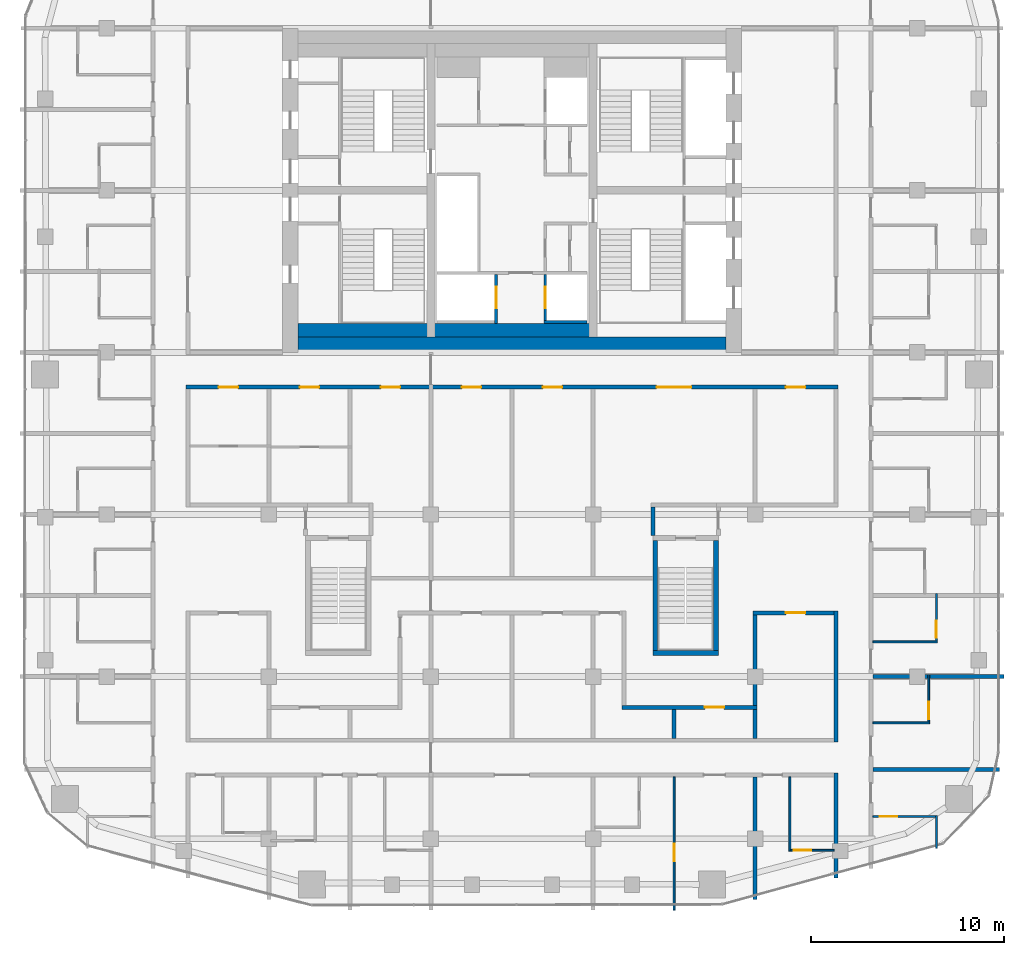
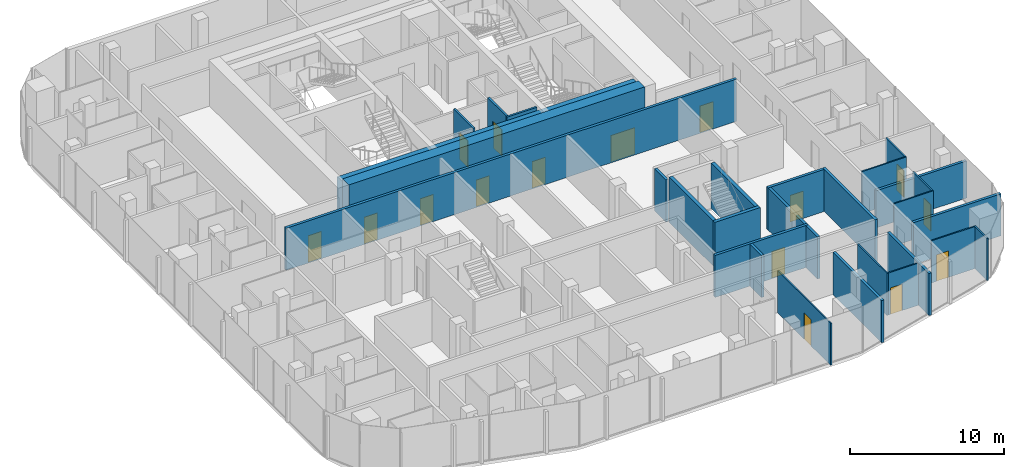
# One storey, part 16 of 22: 29 walls, 16 doors, 16 openings.
"""IFC4 building model written with IfcOpenShell, lengths in metres."""

from ifc_helpers import new_model, si_unit, direction, frame, frame_2d, origin, place, context, subcontext, project, spatial, rectangle, extrude, material, layer, layer_set, type_object, element, fill, save


model = new_model("IFC4")

# Units and contexts
model_context = context("Model", 3, precision=1e-05, world=origin(), true_north=direction((0.0, 1.0)))
body_context = subcontext(model_context, "Body", "Model", "MODEL_VIEW")
ifc_project = project(units=[si_unit("LENGTHUNIT", "METRE"), si_unit("AREAUNIT", "SQUARE_METRE"), si_unit("VOLUMEUNIT", "CUBIC_METRE"), si_unit("PLANEANGLEUNIT", "RADIAN"), si_unit("MASSUNIT", "GRAM", prefix="KILO")], contexts=[model_context])

# Site, building, storey
site_placement = place(None, origin())
site = spatial("IfcSite", under=ifc_project, at=site_placement, CompositionType="ELEMENT")
building_placement = place(site_placement, origin())
building = spatial("IfcBuilding", under=site, at=building_placement, Name="Marenta Gate Hotel Tower", CompositionType="ELEMENT")
storey_placement = place(building_placement, frame((0.0, 0.0, 187.699951171875)))
storey = spatial("IfcBuildingStorey", under=building, at=storey_placement, Name="L42", CompositionType="ELEMENT", Elevation=187.699951171875)

# Wall
ifc_material_1 = material(Name="Concrete C40", Category="concrete")
ifc_layer_1 = layer(ifc_material_1, 0.699951171875)
ifc_layer_set_1 = layer_set([ifc_layer_1], Name="Concrete C40")
wall_type_1 = type_object("IfcWallType", Name="Core lining wall 700 REI 180", PredefinedType="PARTITIONING", material=ifc_layer_set_1)
wall_1_placement = place(storey_placement, frame((-11.10009765625, 1.14990234375, 0.0), z_axis=(0.0, 0.0, 1.0), x_axis=(1.0, 0.0, 0.0)))
element("IfcWall", 1, at=wall_1_placement, inside=storey, type_object=wall_type_1, Name="L42-CP-LN-S", PredefinedType="PARTITIONING", context=body_context, shape_type="SweptSolid", body=[
    extrude(rectangle(XDim=22.2001953125, YDim=0.699951171875, at=frame_2d((11.10009765625, 0.0))), origin(), (0.0, 0.0, 1.0), 3.340087890625),
])

# Wall, opening, door
ifc_material_2 = material(Name="Concrete C40", Category="concrete")
ifc_layer_2 = layer(ifc_material_2, 0.14990234375)
ifc_layer_set_2 = layer_set([ifc_layer_2], Name="Concrete C40")
wall_type_2 = type_object("IfcWallType", Name="Core shaft wall 150 REI 180", PredefinedType="SHEAR", material=ifc_layer_set_2)
wall_2_placement = place(storey_placement, frame((-0.824951171875, 1.5, 0.0), z_axis=(0.0, 0.0, 1.0), x_axis=(0.0, 1.0, 0.0)))
wall_2 = element("IfcWall", 2, at=wall_2_placement, inside=storey, type_object=wall_type_2, Name="L42-SHF-CW-W-ff", PredefinedType="SHEAR", context=body_context, shape_type="SweptSolid", body=[
    extrude(rectangle(XDim=2.550048828125, YDim=0.14990234375, at=frame_2d((1.27490234375, 0.0))), origin(), (0.0, 0.0, 1.0), 3.60009765625),
])
opening_1_placement = place(wall_2_placement, frame((0.800048828125, 0.0, 0.0)))
opening_1 = element("IfcOpeningElement", 3, at=opening_1_placement, cuts=wall_2, Name="Opening LD-FF1", PredefinedType="OPENING", context=body_context, shape_type="SweptSolid", body=[
    extrude(rectangle(XDim=1.10009765625, YDim=2.10009765625, at=frame_2d((0.550048828125, 1.050048828125))), frame((0.0, 0.074951171875, 0.0), z_axis=(0.0, -1.0, 0.0), x_axis=(1.0, 0.0, 0.0)), (0.0, 0.0, 1.0), 0.14990234375),
])
ifc_material_3 = material(Name="Steel", Category="steel")
door_type_1 = type_object("IfcDoorType", Name="Core lift landing door 1100x2100 E 60", OperationType="SLIDING_TO_LEFT", PredefinedType="DOOR", material=ifc_material_3)
door_1_placement = place(opening_1_placement, origin())
door_1 = element("IfcDoor", 4, at=door_1_placement, inside=storey, type_object=door_type_1, Name="LD-FF1", OperationType="SLIDING_TO_LEFT", OverallHeight=2.10009765625, OverallWidth=1.10009765625, PredefinedType="DOOR", context=body_context, shape_type="SweptSolid", body=[
    extrude(rectangle(XDim=1.10009765625, YDim=2.10009765625, at=frame_2d((0.550048828125, 1.050048828125))), frame((0.0, 0.02490234375, 0.0), z_axis=(0.0, -1.0, 0.0), x_axis=(1.0, 0.0, 0.0)), (0.0, 0.0, 1.0), 0.050048828125),
])
fill(opening_1, door_1)

wall_3_placement = place(storey_placement, frame((1.72509765625, 1.64990234375, 0.0), z_axis=(0.0, 0.0, 1.0), x_axis=(0.0, 1.0, 0.0)))
wall_3 = element("IfcWall", 5, at=wall_3_placement, inside=storey, type_object=wall_type_2, Name="L42-SHF-CE-S-ls", PredefinedType="SHEAR", context=body_context, shape_type="SweptSolid", body=[
    extrude(rectangle(XDim=2.400146484375, YDim=0.14990234375, at=frame_2d((1.2001953125, 0.0))), origin(), (0.0, 0.0, 1.0), 3.60009765625),
])
opening_2_placement = place(wall_3_placement, frame((0.64990234375, 0.0, 0.0)))
opening_2 = element("IfcOpeningElement", 6, at=opening_2_placement, cuts=wall_3, Name="Opening LD-SV1", PredefinedType="OPENING", context=body_context, shape_type="SweptSolid", body=[
    extrude(rectangle(XDim=1.10009765625, YDim=2.10009765625, at=frame_2d((0.550048828125, 1.050048828125))), frame((0.0, 0.074951171875, 0.0), z_axis=(0.0, -1.0, 0.0), x_axis=(1.0, 0.0, 0.0)), (0.0, 0.0, 1.0), 0.14990234375),
])
door_2_placement = place(opening_2_placement, origin())
door_2 = element("IfcDoor", 7, at=door_2_placement, inside=storey, type_object=door_type_1, Name="LD-SV1", OperationType="SLIDING_TO_LEFT", OverallHeight=2.10009765625, OverallWidth=1.10009765625, PredefinedType="DOOR", context=body_context, shape_type="SweptSolid", body=[
    extrude(rectangle(XDim=1.10009765625, YDim=2.10009765625, at=frame_2d((0.550048828125, 1.050048828125))), frame((0.0, 0.02490234375, 0.0), z_axis=(0.0, -1.0, 0.0), x_axis=(1.0, 0.0, 0.0)), (0.0, 0.0, 1.0), 0.050048828125),
])
fill(opening_2, door_2)

# Walls
wall_4_placement = place(storey_placement, frame((1.64990234375, 1.574951171875, 0.0), z_axis=(0.0, 0.0, 1.0), x_axis=(1.0, 0.0, 0.0)))
element("IfcWall", 8, at=wall_4_placement, inside=storey, type_object=wall_type_2, Name="L42-SHF-CE-S-bot", PredefinedType="SHEAR", context=body_context, shape_type="SweptSolid", body=[
    extrude(rectangle(XDim=2.25, YDim=0.14990234375, at=frame_2d((1.125, 0.0))), origin(), (0.0, 0.0, 1.0), 3.60009765625),
])
ifc_material_4 = material(Name="Concrete C60", Category="concrete")
ifc_layer_3 = layer(ifc_material_4, 0.800048828125)
ifc_layer_set_3 = layer_set([ifc_layer_3], Name="Concrete C60")
wall_type_3 = type_object("IfcWallType", Name="Core wall 800 C60", PredefinedType="SHEAR", material=ifc_layer_set_3)
wall_5_placement = place(storey_placement, frame((-11.10009765625, 0.39990234375, 0.0), z_axis=(0.0, 0.0, 1.0), x_axis=(1.0, 0.0, 0.0)))
element("IfcWall", 9, at=wall_5_placement, inside=storey, type_object=wall_type_3, Name="L42-CORE-S", PredefinedType="SHEAR", context=body_context, shape_type="SweptSolid", body=[
    extrude(rectangle(XDim=22.2001953125, YDim=0.800048828125, at=frame_2d((11.10009765625, 0.0))), origin(), (0.0, 0.0, 1.0), 3.60009765625),
])
ifc_material_5 = material(Name="Concrete C40", Category="concrete")
ifc_layer_4 = layer(ifc_material_5, 0.25)
ifc_layer_set_4 = layer_set([ifc_layer_4], Name="Concrete C40")
wall_type_4 = type_object("IfcWallType", Name="Remote stair enclosure wall 250 REI 180", PredefinedType="SHEAR", material=ifc_layer_set_4)
wall_6_placement = place(storey_placement, frame((7.300048828125, -15.574951171875, 0.10009765625), z_axis=(0.0, 0.0, 1.0), x_axis=(1.0, 0.0, 0.0)))
element("IfcWall", 10, at=wall_6_placement, inside=storey, type_object=wall_type_4, Name="L42-RS-Z3-2-W1", PredefinedType="SHEAR", context=body_context, shape_type="SweptSolid", body=[
    extrude(rectangle(XDim=3.39990234375, YDim=0.25, at=frame_2d((1.699951171875, 0.0))), origin(), (0.0, 0.0, 1.0), 3.599853515625),
])
for number, where, z_axis, x_axis, name in (
    (11, (7.425048828125, -15.449951171875, 0.10009765625), (0.0, 0.0, 1.0), (0.0, 1.0, 0.0), "L42-RS-Z3-2-W3"),
    (12, (10.574951171875, -15.449951171875, 0.10009765625), (0.0, 0.0, 1.0), (0.0, 1.0, 0.0), "L42-RS-Z3-2-W4"),
):
    element("IfcWall", number, at=place(storey_placement, frame(where, z_axis=z_axis, x_axis=x_axis)), inside=storey, type_object=wall_type_4, Name=name, PredefinedType="SHEAR", context=body_context, shape_type="SweptSolid", body=[
        extrude(rectangle(XDim=5.699951171875, YDim=0.25, at=frame_2d((2.85009765625, 0.0))), origin(), (0.0, 0.0, 1.0), 3.599853515625),
    ])

# Wall, openings, doors
ifc_material_6 = material(Name="Concrete blockwork", Category="masonry")
ifc_layer_5 = layer(ifc_material_6, 0.199951171875)
ifc_layer_set_5 = layer_set([ifc_layer_5], Name="Concrete blockwork")
wall_type_5 = type_object("IfcWallType", Name="Room corridor wall 200 EI 120", PredefinedType="PARTITIONING", material=ifc_layer_set_5)
wall_7_placement = place(storey_placement, frame((-16.89990234375, -1.800048828125, 0.0), z_axis=(0.0, 0.0, 1.0), x_axis=(1.0, 0.0, 0.0)))
wall_7 = element("IfcWall", 13, at=wall_7_placement, inside=storey, type_object=wall_type_5, Name="L42-PTN-W072", PredefinedType="PARTITIONING", context=body_context, shape_type="SweptSolid", body=[
    extrude(rectangle(XDim=33.7998046875, YDim=0.199951171875, at=frame_2d((16.89990234375, 0.0))), origin(), (0.0, 0.0, 1.0), 3.340087890625),
])
opening_3_placement = place(wall_7_placement, frame((1.699951171875, 0.0, 0.0)))
opening_3 = element("IfcOpeningElement", 14, at=opening_3_placement, cuts=wall_7, Name="Opening G15-01", PredefinedType="OPENING", context=body_context, shape_type="SweptSolid", body=[
    extrude(rectangle(XDim=1.0, YDim=2.10009765625, at=frame_2d((0.5, 1.050048828125))), frame((0.0, 0.10009765625, 0.0), z_axis=(0.0, -1.0, 0.0), x_axis=(1.0, 0.0, 0.0)), (0.0, 0.0, 1.0), 0.199951171875),
])
opening_4_placement = place(wall_7_placement, frame((5.89990234375, 0.0, 0.0)))
opening_4 = element("IfcOpeningElement", 15, at=opening_4_placement, cuts=wall_7, Name="Opening G15-03", PredefinedType="OPENING", context=body_context, shape_type="SweptSolid", body=[
    extrude(rectangle(XDim=1.0, YDim=2.10009765625, at=frame_2d((0.5, 1.050048828125))), frame((0.0, 0.10009765625, 0.0), z_axis=(0.0, -1.0, 0.0), x_axis=(1.0, 0.0, 0.0)), (0.0, 0.0, 1.0), 0.199951171875),
])
opening_5_placement = place(wall_7_placement, frame((10.10009765625, 0.0, 0.0)))
opening_5 = element("IfcOpeningElement", 16, at=opening_5_placement, cuts=wall_7, Name="Opening G15-05", PredefinedType="OPENING", context=body_context, shape_type="SweptSolid", body=[
    extrude(rectangle(XDim=1.0, YDim=2.10009765625, at=frame_2d((0.5, 1.050048828125))), frame((0.0, 0.10009765625, 0.0), z_axis=(0.0, -1.0, 0.0), x_axis=(1.0, 0.0, 0.0)), (0.0, 0.0, 1.0), 0.199951171875),
])
opening_6_placement = place(wall_7_placement, frame((14.300048828125, 0.0, 0.0)))
opening_6 = element("IfcOpeningElement", 17, at=opening_6_placement, cuts=wall_7, Name="Opening G15-06", PredefinedType="OPENING", context=body_context, shape_type="SweptSolid", body=[
    extrude(rectangle(XDim=1.0, YDim=2.10009765625, at=frame_2d((0.5, 1.050048828125))), frame((0.0, 0.10009765625, 0.0), z_axis=(0.0, -1.0, 0.0), x_axis=(1.0, 0.0, 0.0)), (0.0, 0.0, 1.0), 0.199951171875),
])
opening_7_placement = place(wall_7_placement, frame((18.5, 0.0, 0.0)))
opening_7 = element("IfcOpeningElement", 18, at=opening_7_placement, cuts=wall_7, Name="Opening G15-07", PredefinedType="OPENING", context=body_context, shape_type="SweptSolid", body=[
    extrude(rectangle(XDim=1.0, YDim=2.10009765625, at=frame_2d((0.5, 1.050048828125))), frame((0.0, 0.10009765625, 0.0), z_axis=(0.0, -1.0, 0.0), x_axis=(1.0, 0.0, 0.0)), (0.0, 0.0, 1.0), 0.199951171875),
])
opening_8_placement = place(wall_7_placement, frame((24.39990234375, 0.0, 0.0)))
opening_8 = element("IfcOpeningElement", 19, at=opening_8_placement, cuts=wall_7, Name="Opening G15-08", PredefinedType="OPENING", context=body_context, shape_type="SweptSolid", body=[
    extrude(rectangle(XDim=1.800048828125, YDim=2.10009765625, at=frame_2d((0.89990234375, 1.050048828125))), frame((0.0, 0.10009765625, 0.0), z_axis=(0.0, -1.0, 0.0), x_axis=(1.0, 0.0, 0.0)), (0.0, 0.0, 1.0), 0.199951171875),
])
opening_9_placement = place(wall_7_placement, frame((31.10009765625, 0.0, 0.0)))
opening_9 = element("IfcOpeningElement", 20, at=opening_9_placement, cuts=wall_7, Name="Opening G15-09", PredefinedType="OPENING", context=body_context, shape_type="SweptSolid", body=[
    extrude(rectangle(XDim=1.0, YDim=2.10009765625, at=frame_2d((0.5, 1.050048828125))), frame((0.0, 0.10009765625, 0.0), z_axis=(0.0, -1.0, 0.0), x_axis=(1.0, 0.0, 0.0)), (0.0, 0.0, 1.0), 0.199951171875),
])
ifc_material_7 = material(Name="Timber door leaf", Category="wood")
door_type_2 = type_object("IfcDoorType", Name="Room amenity door 1000x2100 EI 60", OperationType="NOTDEFINED", PredefinedType="DOOR", material=ifc_material_7)
door_3_placement = place(opening_5_placement, origin())
door_3 = element("IfcDoor", 21, at=door_3_placement, inside=storey, type_object=door_type_2, Name="L42-PD-D005", OperationType="SINGLE_SWING_RIGHT", OverallHeight=2.10009765625, OverallWidth=1.0, PredefinedType="DOOR", context=body_context, shape_type="SweptSolid", body=[
    extrude(rectangle(XDim=1.0, YDim=2.10009765625, at=frame_2d((0.5, 1.050048828125))), frame((0.0, 0.02490234375, 0.0), z_axis=(0.0, -1.0, 0.0), x_axis=(1.0, 0.0, 0.0)), (0.0, 0.0, 1.0), 0.050048828125),
])
fill(opening_5, door_3)
door_4_placement = place(opening_6_placement, origin())
door_4 = element("IfcDoor", 22, at=door_4_placement, inside=storey, type_object=door_type_2, Name="L42-PD-D006", OperationType="SINGLE_SWING_LEFT", OverallHeight=2.10009765625, OverallWidth=1.0, PredefinedType="DOOR", context=body_context, shape_type="SweptSolid", body=[
    extrude(rectangle(XDim=1.0, YDim=2.10009765625, at=frame_2d((0.5, 1.050048828125))), frame((0.0, 0.02490234375, 0.0), z_axis=(0.0, -1.0, 0.0), x_axis=(1.0, 0.0, 0.0)), (0.0, 0.0, 1.0), 0.050048828125),
])
fill(opening_6, door_4)
door_5_placement = place(opening_7_placement, origin())
door_5 = element("IfcDoor", 23, at=door_5_placement, inside=storey, type_object=door_type_2, Name="L42-PD-D007", OperationType="SINGLE_SWING_RIGHT", OverallHeight=2.10009765625, OverallWidth=1.0, PredefinedType="DOOR", context=body_context, shape_type="SweptSolid", body=[
    extrude(rectangle(XDim=1.0, YDim=2.10009765625, at=frame_2d((0.5, 1.050048828125))), frame((0.0, 0.02490234375, 0.0), z_axis=(0.0, -1.0, 0.0), x_axis=(1.0, 0.0, 0.0)), (0.0, 0.0, 1.0), 0.050048828125),
])
fill(opening_7, door_5)
door_6_placement = place(opening_9_placement, origin())
door_6 = element("IfcDoor", 24, at=door_6_placement, inside=storey, type_object=door_type_2, Name="L42-PD-D009", OperationType="SINGLE_SWING_RIGHT", OverallHeight=2.10009765625, OverallWidth=1.0, PredefinedType="DOOR", context=body_context, shape_type="SweptSolid", body=[
    extrude(rectangle(XDim=1.0, YDim=2.10009765625, at=frame_2d((0.5, 1.050048828125))), frame((0.0, 0.02490234375, 0.0), z_axis=(0.0, -1.0, 0.0), x_axis=(1.0, 0.0, 0.0)), (0.0, 0.0, 1.0), 0.050048828125),
])
fill(opening_9, door_6)
ifc_material_8 = material(Name="Timber door leaf", Category="wood")
door_type_3 = type_object("IfcDoorType", Name="Room amenity door 1800x2100 EI 60", OperationType="DOUBLE_DOOR_SINGLE_SWING", PredefinedType="DOOR", material=ifc_material_8)
door_7_placement = place(opening_8_placement, origin())
door_7 = element("IfcDoor", 25, at=door_7_placement, inside=storey, type_object=door_type_3, Name="L42-PD-D008", OperationType="DOUBLE_DOOR_SINGLE_SWING", OverallHeight=2.10009765625, OverallWidth=1.800048828125, PredefinedType="DOOR", context=body_context, shape_type="SweptSolid", body=[
    extrude(rectangle(XDim=1.800048828125, YDim=2.10009765625, at=frame_2d((0.89990234375, 1.050048828125))), frame((0.0, 0.02490234375, 0.0), z_axis=(0.0, -1.0, 0.0), x_axis=(1.0, 0.0, 0.0)), (0.0, 0.0, 1.0), 0.050048828125),
])
fill(opening_8, door_7)
ifc_material_9 = material(Name="Hollow steel door set", Category="steel")
door_type_4 = type_object("IfcDoorType", Name="Room service door 1000x2100 EI 60", OperationType="NOTDEFINED", PredefinedType="DOOR", material=ifc_material_9)
door_8_placement = place(opening_3_placement, origin())
door_8 = element("IfcDoor", 26, at=door_8_placement, inside=storey, type_object=door_type_4, Name="L42-PD-D001", OperationType="SINGLE_SWING_LEFT", OverallHeight=2.10009765625, OverallWidth=1.0, PredefinedType="DOOR", context=body_context, shape_type="SweptSolid", body=[
    extrude(rectangle(XDim=1.0, YDim=2.10009765625, at=frame_2d((0.5, 1.050048828125))), frame((0.0, 0.02490234375, 0.0), z_axis=(0.0, -1.0, 0.0), x_axis=(1.0, 0.0, 0.0)), (0.0, 0.0, 1.0), 0.050048828125),
])
fill(opening_3, door_8)
door_9_placement = place(opening_4_placement, origin())
door_9 = element("IfcDoor", 27, at=door_9_placement, inside=storey, type_object=door_type_4, Name="L42-PD-D003", OperationType="SINGLE_SWING_LEFT", OverallHeight=2.10009765625, OverallWidth=1.0, PredefinedType="DOOR", context=body_context, shape_type="SweptSolid", body=[
    extrude(rectangle(XDim=1.0, YDim=2.10009765625, at=frame_2d((0.5, 1.050048828125))), frame((0.0, 0.02490234375, 0.0), z_axis=(0.0, -1.0, 0.0), x_axis=(1.0, 0.0, 0.0)), (0.0, 0.0, 1.0), 0.050048828125),
])
fill(opening_4, door_9)

# Wall, opening, door
ifc_material_10 = material(Name="Gypsum board on steel stud", Category="steel")
ifc_layer_6 = layer(ifc_material_10, 0.199951171875)
ifc_layer_set_6 = layer_set([ifc_layer_6], Name="Gypsum board on steel stud")
wall_type_6 = type_object("IfcWallType", Name="Room corridor wall 200 EI 60", PredefinedType="PARTITIONING", material=ifc_layer_set_6)
wall_8_placement = place(storey_placement, frame((5.699951171875, -18.39990234375, 0.0), z_axis=(0.0, 0.0, 1.0), x_axis=(1.0, 0.0, 0.0)))
wall_8 = element("IfcWall", 28, at=wall_8_placement, inside=storey, type_object=wall_type_6, Name="L42-PTN-W025", PredefinedType="PARTITIONING", context=body_context, shape_type="SweptSolid", body=[
    extrude(rectangle(XDim=7.0, YDim=0.199951171875, at=frame_2d((3.5, 0.0))), origin(), (0.0, 0.0, 1.0), 3.340087890625),
])
opening_10_placement = place(wall_8_placement, frame((4.300048828125, 0.0, 0.0)))
opening_10 = element("IfcOpeningElement", 29, at=opening_10_placement, cuts=wall_8, Name="Opening G15-16", PredefinedType="OPENING", context=body_context, shape_type="SweptSolid", body=[
    extrude(rectangle(XDim=1.0, YDim=2.10009765625, at=frame_2d((0.5, 1.050048828125))), frame((0.0, 0.10009765625, 0.0), z_axis=(0.0, -1.0, 0.0), x_axis=(1.0, 0.0, 0.0)), (0.0, 0.0, 1.0), 0.199951171875),
])
ifc_material_11 = material(Name="Timber door leaf", Category="wood")
door_type_5 = type_object("IfcDoorType", Name="Room amenity door 1000x2100 EI 30", OperationType="NOTDEFINED", PredefinedType="DOOR", material=ifc_material_11)
door_10_placement = place(opening_10_placement, origin())
door_10 = element("IfcDoor", 30, at=door_10_placement, inside=storey, type_object=door_type_5, Name="L42-PD-D016", OperationType="SINGLE_SWING_LEFT", OverallHeight=2.10009765625, OverallWidth=1.0, PredefinedType="DOOR", context=body_context, shape_type="SweptSolid", body=[
    extrude(rectangle(XDim=1.0, YDim=2.10009765625, at=frame_2d((0.5, 1.050048828125))), frame((0.0, 0.02490234375, 0.0), z_axis=(0.0, -1.0, 0.0), x_axis=(1.0, 0.0, 0.0)), (0.0, 0.0, 1.0), 0.050048828125),
])
fill(opening_10, door_10)

# Walls
wall_9_placement = place(storey_placement, frame((16.800048828125, -27.22900390625, 0.0), z_axis=(0.0, 0.0, 1.0), x_axis=(0.0, 1.0, 0.0)))
element("IfcWall", 31, at=wall_9_placement, inside=storey, type_object=wall_type_6, Name="L42-PTN-W026", PredefinedType="PARTITIONING", context=body_context, shape_type="SweptSolid", body=[
    extrude(rectangle(XDim=5.428955078125, YDim=0.199951171875, at=frame_2d((2.71435546875, 0.0))), origin(), (0.0, 0.0, 1.0), 3.340087890625),
])
wall_10_placement = place(storey_placement, frame((16.800048828125, -20.199951171875, 0.0), z_axis=(0.0, 0.0, 1.0), x_axis=(0.0, 1.0, 0.0)))
element("IfcWall", 32, at=wall_10_placement, inside=storey, type_object=wall_type_6, Name="L42-PTN-W027", PredefinedType="PARTITIONING", context=body_context, shape_type="SweptSolid", body=[
    extrude(rectangle(XDim=6.800048828125, YDim=0.199951171875, at=frame_2d((3.39990234375, 0.0))), origin(), (0.0, 0.0, 1.0), 3.340087890625),
])

# Wall, opening, door
wall_11_placement = place(storey_placement, frame((12.5, -13.5, 0.0), z_axis=(0.0, 0.0, 1.0), x_axis=(1.0, 0.0, 0.0)))
wall_11 = element("IfcWall", 33, at=wall_11_placement, inside=storey, type_object=wall_type_6, Name="L42-PTN-W037", PredefinedType="PARTITIONING", context=body_context, shape_type="SweptSolid", body=[
    extrude(rectangle(XDim=4.199951171875, YDim=0.199951171875, at=frame_2d((2.10009765625, 0.0))), origin(), (0.0, 0.0, 1.0), 3.340087890625),
])
opening_11_placement = place(wall_11_placement, frame((1.699951171875, 0.0, 0.0)))
opening_11 = element("IfcOpeningElement", 34, at=opening_11_placement, cuts=wall_11, Name="Opening G15-17", PredefinedType="OPENING", context=body_context, shape_type="SweptSolid", body=[
    extrude(rectangle(XDim=1.0, YDim=2.10009765625, at=frame_2d((0.5, 1.050048828125))), frame((0.0, 0.10009765625, 0.0), z_axis=(0.0, -1.0, 0.0), x_axis=(1.0, 0.0, 0.0)), (0.0, 0.0, 1.0), 0.199951171875),
])
door_11_placement = place(opening_11_placement, origin())
door_11 = element("IfcDoor", 35, at=door_11_placement, inside=storey, type_object=door_type_5, Name="L42-PD-D017", OperationType="SINGLE_SWING_LEFT", OverallHeight=2.10009765625, OverallWidth=1.0, PredefinedType="DOOR", context=body_context, shape_type="SweptSolid", body=[
    extrude(rectangle(XDim=1.0, YDim=2.10009765625, at=frame_2d((0.5, 1.050048828125))), frame((0.0, 0.02490234375, 0.0), z_axis=(0.0, -1.0, 0.0), x_axis=(1.0, 0.0, 0.0)), (0.0, 0.0, 1.0), 0.050048828125),
])
fill(opening_11, door_11)

# Wall
wall_12_placement = place(storey_placement, frame((12.60009765625, -18.300048828125, 0.0), z_axis=(0.0, 0.0, 1.0), x_axis=(0.0, 1.0, 0.0)))
element("IfcWall", 36, at=wall_12_placement, inside=storey, type_object=wall_type_6, Name="L42-PTN-W042", PredefinedType="PARTITIONING", context=body_context, shape_type="SweptSolid", body=[
    extrude(rectangle(XDim=4.699951171875, YDim=0.199951171875, at=frame_2d((2.35009765625, 0.0))), origin(), (0.0, 0.0, 1.0), 3.340087890625),
])

# Wall, opening, door
ifc_material_12 = material(Name="Gypsum board on steel stud", Category="steel")
ifc_layer_7 = layer(ifc_material_12, 0.10009765625)
ifc_layer_set_7 = layer_set([ifc_layer_7], Name="Gypsum board on steel stud")
wall_type_7 = type_object("IfcWallType", Name="Room partition 100", PredefinedType="PARTITIONING", material=ifc_layer_set_7)
wall_13_placement = place(storey_placement, frame((14.449951171875, -25.800048828125, 0.0), z_axis=(0.0, 0.0, 1.0), x_axis=(1.0, 0.0, 0.0)))
wall_13 = element("IfcWall", 37, at=wall_13_placement, inside=storey, type_object=wall_type_7, Name="L42-PTN-W002", PredefinedType="PARTITIONING", context=body_context, shape_type="SweptSolid", body=[
    extrude(rectangle(XDim=2.25, YDim=0.10009765625, at=frame_2d((1.125, 0.0))), origin(), (0.0, 0.0, 1.0), 3.340087890625),
])
opening_12_placement = place(wall_13_placement, frame((0.14990234375, 0.0, 0.0)))
opening_12 = element("IfcOpeningElement", 38, at=opening_12_placement, cuts=wall_13, Name="Opening G15-53", PredefinedType="OPENING", context=body_context, shape_type="SweptSolid", body=[
    extrude(rectangle(XDim=0.89990234375, YDim=2.10009765625, at=frame_2d((0.449951171875, 1.050048828125))), frame((0.0, 0.050048828125, 0.0), z_axis=(0.0, -1.0, 0.0), x_axis=(1.0, 0.0, 0.0)), (0.0, 0.0, 1.0), 0.10009765625),
])
ifc_material_13 = material(Name="Timber door leaf", Category="wood")
door_type_6 = type_object("IfcDoorType", Name="Guest bathroom door 900x2100", OperationType="NOTDEFINED", PredefinedType="DOOR", material=ifc_material_13)
door_12_placement = place(opening_12_placement, origin())
door_12 = element("IfcDoor", 39, at=door_12_placement, inside=storey, type_object=door_type_6, Name="L42-PD-D053", OperationType="SINGLE_SWING_LEFT", OverallHeight=2.10009765625, OverallWidth=0.89990234375, PredefinedType="DOOR", context=body_context, shape_type="SweptSolid", body=[
    extrude(rectangle(XDim=0.89990234375, YDim=2.10009765625, at=frame_2d((0.449951171875, 1.050048828125))), frame((0.0, 0.02490234375, 0.0), z_axis=(0.0, -1.0, 0.0), x_axis=(1.0, 0.0, 0.0)), (0.0, 0.0, 1.0), 0.050048828125),
])
fill(opening_12, door_12)

wall_14_placement = place(storey_placement, frame((18.699951171875, -24.051025390625, 0.0), z_axis=(0.0, 0.0, 1.0), x_axis=(1.0, 0.0, 0.0)))
wall_14 = element("IfcWall", 40, at=wall_14_placement, inside=storey, type_object=wall_type_7, Name="L42-PTN-W007", PredefinedType="PARTITIONING", context=body_context, shape_type="SweptSolid", body=[
    extrude(rectangle(XDim=3.25, YDim=0.10009765625, at=frame_2d((1.625, 0.0))), origin(), (0.0, 0.0, 1.0), 3.340087890625),
])
opening_13_placement = place(wall_14_placement, frame((0.3701171875, 0.0, 0.0)))
opening_13 = element("IfcOpeningElement", 41, at=opening_13_placement, cuts=wall_14, Name="Opening G15-19", PredefinedType="OPENING", context=body_context, shape_type="SweptSolid", body=[
    extrude(rectangle(XDim=0.89990234375, YDim=2.10009765625, at=frame_2d((0.449951171875, 1.050048828125))), frame((0.0, 0.050048828125, 0.0), z_axis=(0.0, -1.0, 0.0), x_axis=(1.0, 0.0, 0.0)), (0.0, 0.0, 1.0), 0.10009765625),
])
door_13_placement = place(opening_13_placement, origin())
door_13 = element("IfcDoor", 42, at=door_13_placement, inside=storey, type_object=door_type_6, Name="L42-PD-D019", OperationType="SINGLE_SWING_RIGHT", OverallHeight=2.10009765625, OverallWidth=0.89990234375, PredefinedType="DOOR", context=body_context, shape_type="SweptSolid", body=[
    extrude(rectangle(XDim=0.89990234375, YDim=2.10009765625, at=frame_2d((0.449951171875, 1.050048828125))), frame((0.0, 0.02490234375, 0.0), z_axis=(0.0, -1.0, 0.0), x_axis=(1.0, 0.0, 0.0)), (0.0, 0.0, 1.0), 0.050048828125),
])
fill(opening_13, door_13)

# Wall
wall_15_placement = place(storey_placement, frame((22.0, -25.68505859375, 0.0), z_axis=(0.0, 0.0, 1.0), x_axis=(0.0, 1.0, 0.0)))
element("IfcWall", 43, at=wall_15_placement, inside=storey, type_object=wall_type_7, Name="L42-PTN-W009", PredefinedType="PARTITIONING", context=body_context, shape_type="SweptSolid", body=[
    extrude(rectangle(XDim=1.68408203125, YDim=0.10009765625, at=frame_2d((0.842041015625, 0.0))), origin(), (0.0, 0.0, 1.0), 3.340087890625),
])

# Wall, opening, door
wall_16_placement = place(storey_placement, frame((22.0, -14.949951171875, 0.0), z_axis=(0.0, 0.0, 1.0), x_axis=(0.0, 1.0, 0.0)))
wall_16 = element("IfcWall", 44, at=wall_16_placement, inside=storey, type_object=wall_type_7, Name="L42-PTN-W010", PredefinedType="PARTITIONING", context=body_context, shape_type="SweptSolid", body=[
    extrude(rectangle(XDim=2.449951171875, YDim=0.10009765625, at=frame_2d((1.22509765625, 0.0))), origin(), (0.0, 0.0, 1.0), 3.340087890625),
])
opening_14_placement = place(wall_16_placement, frame((0.14990234375, 0.0, 0.0)))
opening_14 = element("IfcOpeningElement", 45, at=opening_14_placement, cuts=wall_16, Name="Opening G15-23", PredefinedType="OPENING", context=body_context, shape_type="SweptSolid", body=[
    extrude(rectangle(XDim=0.89990234375, YDim=2.10009765625, at=frame_2d((0.449951171875, 1.050048828125))), frame((0.0, 0.050048828125, 0.0), z_axis=(0.0, -1.0, 0.0), x_axis=(1.0, 0.0, 0.0)), (0.0, 0.0, 1.0), 0.10009765625),
])
door_14_placement = place(opening_14_placement, origin())
door_14 = element("IfcDoor", 46, at=door_14_placement, inside=storey, type_object=door_type_6, Name="L42-PD-D023", OperationType="SINGLE_SWING_LEFT", OverallHeight=2.10009765625, OverallWidth=0.89990234375, PredefinedType="DOOR", context=body_context, shape_type="SweptSolid", body=[
    extrude(rectangle(XDim=0.89990234375, YDim=2.10009765625, at=frame_2d((0.449951171875, 1.050048828125))), frame((0.0, 0.02490234375, 0.0), z_axis=(0.0, -1.0, 0.0), x_axis=(1.0, 0.0, 0.0)), (0.0, 0.0, 1.0), 0.050048828125),
])
fill(opening_14, door_14)

wall_17_placement = place(storey_placement, frame((21.60009765625, -19.14990234375, 0.0), z_axis=(0.0, 0.0, 1.0), x_axis=(0.0, 1.0, 0.0)))
wall_17 = element("IfcWall", 47, at=wall_17_placement, inside=storey, type_object=wall_type_7, Name="L42-PTN-W016", PredefinedType="PARTITIONING", context=body_context, shape_type="SweptSolid", body=[
    extrude(rectangle(XDim=2.449951171875, YDim=0.10009765625, at=frame_2d((1.22509765625, 0.0))), origin(), (0.0, 0.0, 1.0), 3.340087890625),
])
opening_15_placement = place(wall_17_placement, frame((0.14990234375, 0.0, 0.0)))
opening_15 = element("IfcOpeningElement", 48, at=opening_15_placement, cuts=wall_17, Name="Opening G15-21", PredefinedType="OPENING", context=body_context, shape_type="SweptSolid", body=[
    extrude(rectangle(XDim=0.89990234375, YDim=2.10009765625, at=frame_2d((0.449951171875, 1.050048828125))), frame((0.0, 0.050048828125, 0.0), z_axis=(0.0, -1.0, 0.0), x_axis=(1.0, 0.0, 0.0)), (0.0, 0.0, 1.0), 0.10009765625),
])
door_15_placement = place(opening_15_placement, origin())
door_15 = element("IfcDoor", 49, at=door_15_placement, inside=storey, type_object=door_type_6, Name="L42-PD-D021", OperationType="SINGLE_SWING_LEFT", OverallHeight=2.10009765625, OverallWidth=0.89990234375, PredefinedType="DOOR", context=body_context, shape_type="SweptSolid", body=[
    extrude(rectangle(XDim=0.89990234375, YDim=2.10009765625, at=frame_2d((0.449951171875, 1.050048828125))), frame((0.0, 0.02490234375, 0.0), z_axis=(0.0, -1.0, 0.0), x_axis=(1.0, 0.0, 0.0)), (0.0, 0.0, 1.0), 0.050048828125),
])
fill(opening_15, door_15)

# Walls
wall_18_placement = place(storey_placement, frame((18.699951171875, -19.199951171875, 0.0), z_axis=(0.0, 0.0, 1.0), x_axis=(1.0, 0.0, 0.0)))
element("IfcWall", 50, at=wall_18_placement, inside=storey, type_object=wall_type_7, Name="L42-PTN-W022", PredefinedType="PARTITIONING", context=body_context, shape_type="SweptSolid", body=[
    extrude(rectangle(XDim=2.949951171875, YDim=0.10009765625, at=frame_2d((1.47509765625, 0.0))), origin(), (0.0, 0.0, 1.0), 3.340087890625),
])
wall_19_placement = place(storey_placement, frame((18.699951171875, -15.0, 0.0), z_axis=(0.0, 0.0, 1.0), x_axis=(1.0, 0.0, 0.0)))
element("IfcWall", 51, at=wall_19_placement, inside=storey, type_object=wall_type_7, Name="L42-PTN-W033", PredefinedType="PARTITIONING", context=body_context, shape_type="SweptSolid", body=[
    extrude(rectangle(XDim=3.35009765625, YDim=0.10009765625, at=frame_2d((1.675048828125, 0.0))), origin(), (0.0, 0.0, 1.0), 3.340087890625),
])
wall_20_placement = place(storey_placement, frame((14.39990234375, -25.85009765625, 0.0), z_axis=(0.0, 0.0, 1.0), x_axis=(0.0, 1.0, 0.0)))
element("IfcWall", 52, at=wall_20_placement, inside=storey, type_object=wall_type_7, Name="L42-PTN-W034", PredefinedType="PARTITIONING", context=body_context, shape_type="SweptSolid", body=[
    extrude(rectangle(XDim=3.85009765625, YDim=0.10009765625, at=frame_2d((1.925048828125, 0.0))), origin(), (0.0, 0.0, 1.0), 3.340087890625),
])

# Wall, opening, door
wall_21_placement = place(storey_placement, frame((8.39990234375, -28.89990234375, 0.0), z_axis=(0.0, 0.0, 1.0), x_axis=(0.0, 1.0, 0.0)))
wall_21 = element("IfcWall", 53, at=wall_21_placement, inside=storey, type_object=wall_type_7, Name="L42-PTN-W049", PredefinedType="PARTITIONING", context=body_context, shape_type="SweptSolid", body=[
    extrude(rectangle(XDim=6.89990234375, YDim=0.10009765625, at=frame_2d((3.449951171875, 0.0))), origin(), (0.0, 0.0, 1.0), 3.340087890625),
])
opening_16_placement = place(wall_21_placement, frame((2.530029296875, 0.0, 0.0)))
opening_16 = element("IfcOpeningElement", 54, at=opening_16_placement, cuts=wall_21, Name="Opening G15-50", PredefinedType="OPENING", context=body_context, shape_type="SweptSolid", body=[
    extrude(rectangle(XDim=0.89990234375, YDim=2.10009765625, at=frame_2d((0.449951171875, 1.050048828125))), frame((0.0, 0.050048828125, 0.0), z_axis=(0.0, -1.0, 0.0), x_axis=(1.0, 0.0, 0.0)), (0.0, 0.0, 1.0), 0.10009765625),
])
ifc_material_14 = material(Name="Timber door leaf", Category="wood")
door_type_7 = type_object("IfcDoorType", Name="Room inner door 900x2100", OperationType="NOTDEFINED", PredefinedType="DOOR", material=ifc_material_14)
door_16_placement = place(opening_16_placement, origin())
door_16 = element("IfcDoor", 55, at=door_16_placement, inside=storey, type_object=door_type_7, Name="L42-PD-D050", OperationType="SINGLE_SWING_LEFT", OverallHeight=2.10009765625, OverallWidth=0.89990234375, PredefinedType="DOOR", context=body_context, shape_type="SweptSolid", body=[
    extrude(rectangle(XDim=0.89990234375, YDim=2.10009765625, at=frame_2d((0.449951171875, 1.050048828125))), frame((0.0, 0.02490234375, 0.0), z_axis=(0.0, -1.0, 0.0), x_axis=(1.0, 0.0, 0.0)), (0.0, 0.0, 1.0), 0.050048828125),
])
fill(opening_16, door_16)

# Walls
ifc_material_15 = material(Name="Gypsum board on steel stud", Category="steel")
ifc_layer_8 = layer(ifc_material_15, 0.199951171875)
ifc_layer_set_8 = layer_set([ifc_layer_8], Name="Gypsum board on steel stud")
wall_type_8 = type_object("IfcWallType", Name="Room party wall 200 EI 60", PredefinedType="PARTITIONING", material=ifc_layer_set_8)
wall_22_placement = place(storey_placement, frame((18.699951171875, -21.625, 0.0), z_axis=(0.0, 0.0, 1.0), x_axis=(1.0, 0.0, 0.0)))
element("IfcWall", 56, at=wall_22_placement, inside=storey, type_object=wall_type_8, Name="L42-PTN-W015", PredefinedType="PARTITIONING", context=body_context, shape_type="SweptSolid", body=[
    extrude(rectangle(XDim=6.575927734375, YDim=0.199951171875, at=frame_2d((3.2880859375, 0.0))), origin(), (0.0, 0.0, 1.0), 3.340087890625),
])
wall_23_placement = place(storey_placement, frame((18.699951171875, -16.800048828125, 0.0), z_axis=(0.0, 0.0, 1.0), x_axis=(1.0, 0.0, 0.0)))
element("IfcWall", 57, at=wall_23_placement, inside=storey, type_object=wall_type_8, Name="L42-PTN-W031", PredefinedType="PARTITIONING", context=body_context, shape_type="SweptSolid", body=[
    extrude(rectangle(XDim=6.800048828125, YDim=0.199951171875, at=frame_2d((3.39990234375, 0.0))), origin(), (0.0, 0.0, 1.0), 2.93994140625),
])
wall_24_placement = place(storey_placement, frame((12.60009765625, -28.343017578125, 0.0), z_axis=(0.0, 0.0, 1.0), x_axis=(0.0, 1.0, 0.0)))
element("IfcWall", 58, at=wall_24_placement, inside=storey, type_object=wall_type_8, Name="L42-PTN-W038", PredefinedType="PARTITIONING", context=body_context, shape_type="SweptSolid", body=[
    extrude(rectangle(XDim=6.343017578125, YDim=0.199951171875, at=frame_2d((3.17138671875, 0.0))), origin(), (0.0, 0.0, 1.0), 3.340087890625),
])
for number, where, z_axis, x_axis, name in (
    (59, (12.60009765625, -20.0, 0.0), (0.0, 0.0, 1.0), (0.0, 1.0, 0.0), "L42-PTN-W039"),
    (60, (8.39990234375, -20.0, 0.0), (0.0, 0.0, 1.0), (0.0, 1.0, 0.0), "L42-PTN-W050"),
):
    element("IfcWall", number, at=place(storey_placement, frame(where, z_axis=z_axis, x_axis=x_axis)), inside=storey, type_object=wall_type_8, Name=name, PredefinedType="PARTITIONING", context=body_context, shape_type="SweptSolid", body=[
        extrude(rectangle(XDim=1.5, YDim=0.199951171875, at=frame_2d((0.75, 0.0))), origin(), (0.0, 0.0, 1.0), 3.340087890625),
    ])
ifc_material_16 = material(Name="Concrete blockwork", Category="masonry")
ifc_layer_9 = layer(ifc_material_16, 0.199951171875)
ifc_layer_set_9 = layer_set([ifc_layer_9], Name="Concrete blockwork")
wall_type_9 = type_object("IfcWallType", Name="Room party wall 200 REI 180", PredefinedType="PARTITIONING", material=ifc_layer_set_9)
wall_25_placement = place(storey_placement, frame((7.300048828125, -9.5, 0.0), z_axis=(0.0, 0.0, 1.0), x_axis=(0.0, 1.0, 0.0)))
element("IfcWall", 61, at=wall_25_placement, inside=storey, type_object=wall_type_9, Name="L42-PTN-W057", PredefinedType="PARTITIONING", context=body_context, shape_type="SweptSolid", body=[
    extrude(rectangle(XDim=1.5, YDim=0.199951171875, at=frame_2d((0.75, 0.0))), origin(), (0.0, 0.0, 1.0), 3.340087890625),
])

save(model, "model.ifc")
